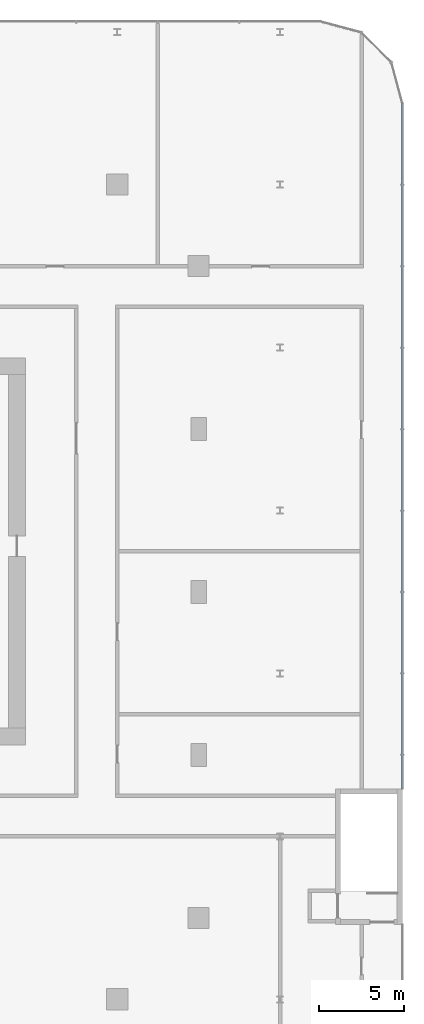
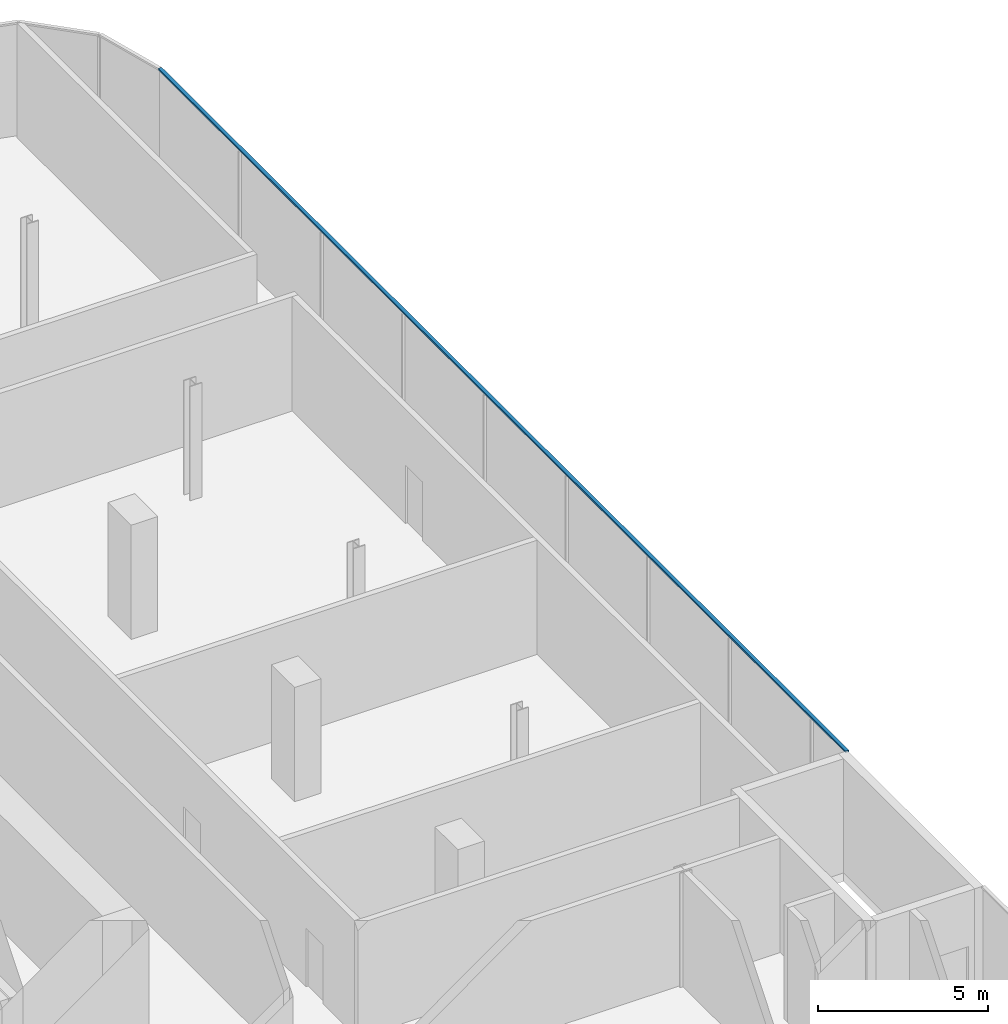
# One storey, part 13 of 32: 1 member, 1 element without a shape of its own.
"""IFC4 building model written with IfcOpenShell, lengths in metres."""

from ifc_helpers import new_model, si_unit, direction, frame, origin, origin_2d, place, context, subcontext, project, spatial, rectangle, extrude, material, layer, layer_set, material_profile, profile_set, type_object, element, aggregate, save


model = new_model("IFC4")

# Units and contexts
model_context = context("Model", 3, precision=1e-05, world=origin(), true_north=direction((0.0, 1.0)))
body_context = subcontext(model_context, "Body", "Model", "MODEL_VIEW")
ifc_project = project(units=[si_unit("LENGTHUNIT", "METRE"), si_unit("AREAUNIT", "SQUARE_METRE"), si_unit("VOLUMEUNIT", "CUBIC_METRE"), si_unit("PLANEANGLEUNIT", "RADIAN"), si_unit("MASSUNIT", "GRAM", prefix="KILO")], contexts=[model_context])

# Site, building, storey
site_placement = place(None, origin())
site = spatial("IfcSite", under=ifc_project, at=site_placement, CompositionType="ELEMENT")
building_placement = place(site_placement, origin())
building = spatial("IfcBuilding", under=site, at=building_placement, Name="Madar Terraces", CompositionType="ELEMENT")
storey_placement = place(building_placement, frame((0.0, 0.0, 19.5)))
storey = spatial("IfcBuildingStorey", under=building, at=storey_placement, Name="L04", CompositionType="ELEMENT", Elevation=19.5)

# Curtain wall, member
ifc_material_1 = material(Name="Glass, clear low-iron, with black aluminium frame", Category="aluminium")
ifc_layer = layer(ifc_material_1, 0.199951171875)
ifc_layer_set = layer_set([ifc_layer], Name="Facade curtain wall, shopfront glazing")
curtain_wall_type = type_object("IfcCurtainWallType", Name="Facade curtain wall, shopfront glazing", PredefinedType="NOTDEFINED", material=ifc_layer_set)
curtain_wall_placement = place(storey_placement, origin())
curtain_wall = element("IfcCurtainWall", 1, at=curtain_wall_placement, inside=storey, type_object=curtain_wall_type, Name="Outer skin curtain wall east bay 1", PredefinedType="NOTDEFINED")
ifc_material_2 = material(Name="Aluminium, black anodised", Category="aluminium")
ifc_material_profile = material_profile(ifc_material_2, rectangle(XDim=0.1201171875, YDim=0.06005859375, at=origin_2d()), Name="Facade transom 60x120")
ifc_profile_set = profile_set([ifc_material_profile], Name="Aluminium, black anodised")
member_type = type_object("IfcMemberType", Name="Facade transom 60x120", PredefinedType="USERDEFINED", material=ifc_profile_set)
member_placement = place(storey_placement, frame((69.60009765625, 12.39990234375, 4.070068359375), z_axis=(0.0, 1.0, 0.0), x_axis=(-1.0, 0.0, 0.0)))
member = element("IfcMember", 2, at=member_placement, type_object=member_type, Name="Transom 2", ObjectType="TRANSOM", PredefinedType="USERDEFINED", context=body_context, shape_type="SweptSolid", body=[
    extrude(rectangle(XDim=0.1201171875, YDim=0.06005859375, at=origin_2d()), origin(), (0.0, 0.0, 1.0), 40.400146484375),
])
aggregate(curtain_wall, [member])

save(model, "model.ifc")
